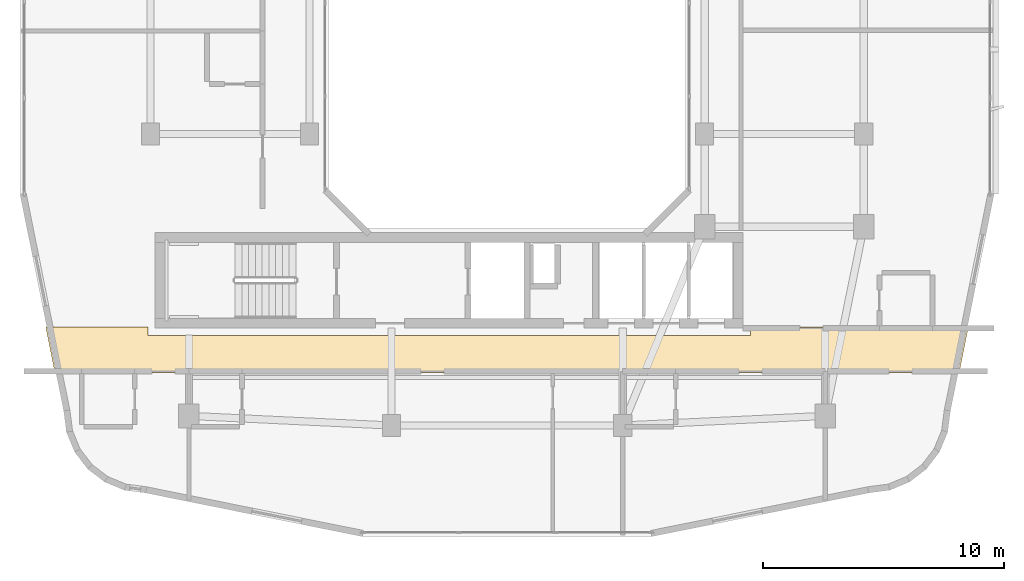
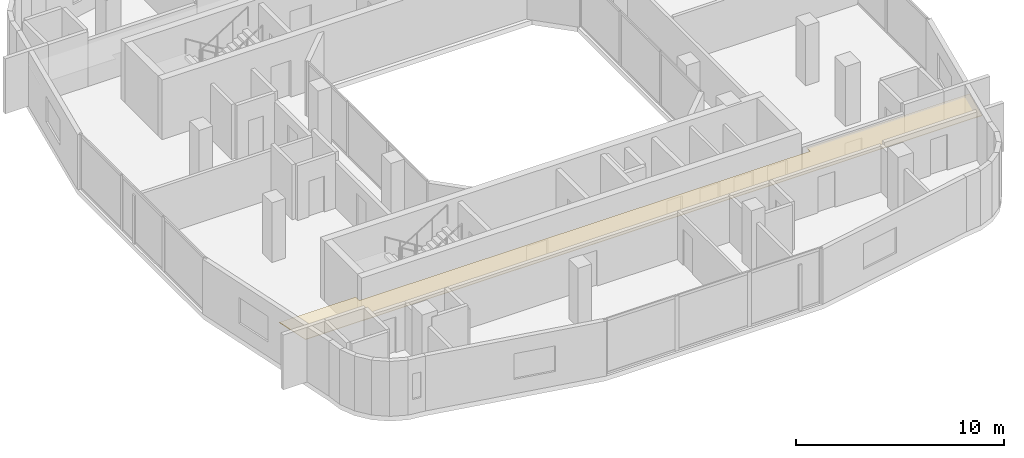
# One storey, part 12 of 14: 1 covering.
"""IFC4 building model written with IfcOpenShell, lengths in metres."""

from ifc_helpers import new_model, si_unit, derived_unit, direction, frame, origin, place, context, subcontext, project, spatial, polyline, outline, extrude, material, layer, layer_set, type_object, element, save


model = new_model("IFC4")

# Units and contexts
model_context = context("Model", 3, precision=1e-05, world=origin(), true_north=direction((0.0, 1.0)))
body_context = subcontext(model_context, "Body", "Model", "MODEL_VIEW")
ifc_project = project(units=[si_unit("LENGTHUNIT", "METRE"), si_unit("AREAUNIT", "SQUARE_METRE"), si_unit("VOLUMEUNIT", "CUBIC_METRE"), si_unit("PLANEANGLEUNIT", "RADIAN"), si_unit("MASSUNIT", "GRAM", prefix="KILO"), derived_unit("THERMALTRANSMITTANCEUNIT", [(si_unit("POWERUNIT", "WATT"), 1), (si_unit("LENGTHUNIT", "METRE"), -2), (si_unit("THERMODYNAMICTEMPERATUREUNIT", "KELVIN"), -1)])], contexts=[model_context])

# Site, building, storey
site_placement = place(None, origin())
site = spatial("IfcSite", under=ifc_project, at=site_placement, CompositionType="ELEMENT")
building_placement = place(site_placement, origin())
building = spatial("IfcBuilding", under=site, at=building_placement, Name="Kivonza Crest Hotel", CompositionType="ELEMENT")
storey_placement = place(building_placement, frame((0.0, 0.0, 138.0)))
storey = spatial("IfcBuildingStorey", under=building, at=storey_placement, Name="L37", CompositionType="ELEMENT", Elevation=138.0)

# Covering
ifc_material = material(Name="Moisture-resistant gypsum plasterboard ceiling", Category="gypsum")
ifc_layer = layer(ifc_material, 0.030029296875)
ifc_layer_set = layer_set([ifc_layer], Name="Moisture-resistant gypsum plasterboard ceiling")
covering_type = type_object("IfcCoveringType", Name="CV-CEIL-GYP", PredefinedType="CEILING", material=ifc_layer_set)
covering_placement = place(storey_placement, frame((0.0, 0.0, 2.449951171875)))
element("IfcCovering", 1, at=covering_placement, inside=storey, type_object=covering_type, Name="L37 Hotel South Guest Corridor suspended ceiling", PredefinedType="CEILING", context=body_context, shape_type="SweptSolid", body=[
    extrude(outline(polyline([(1.85791015625, 13.47998046875), (2.235107421875, 11.610107421875), (39.764892578125, 11.610107421875), (40.14208984375, 13.47998046875), (31.10009765625, 13.47998046875), (31.10009765625, 13.139892578125), (6.10009765625, 13.139892578125), (6.10009765625, 13.47998046875), (1.85791015625, 13.47998046875)])), origin(), (0.0, 0.0, 1.0), 0.030029296875),
])

save(model, "model.ifc")
